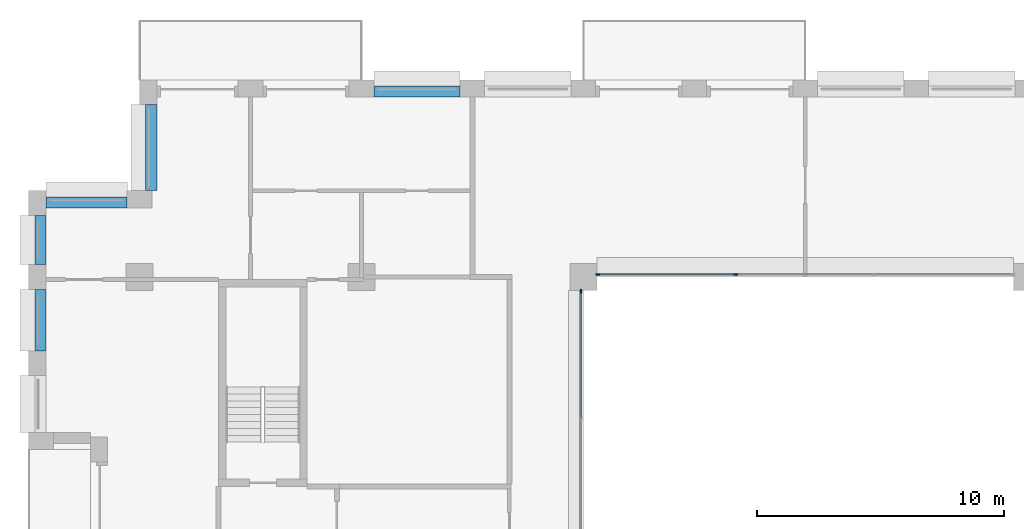
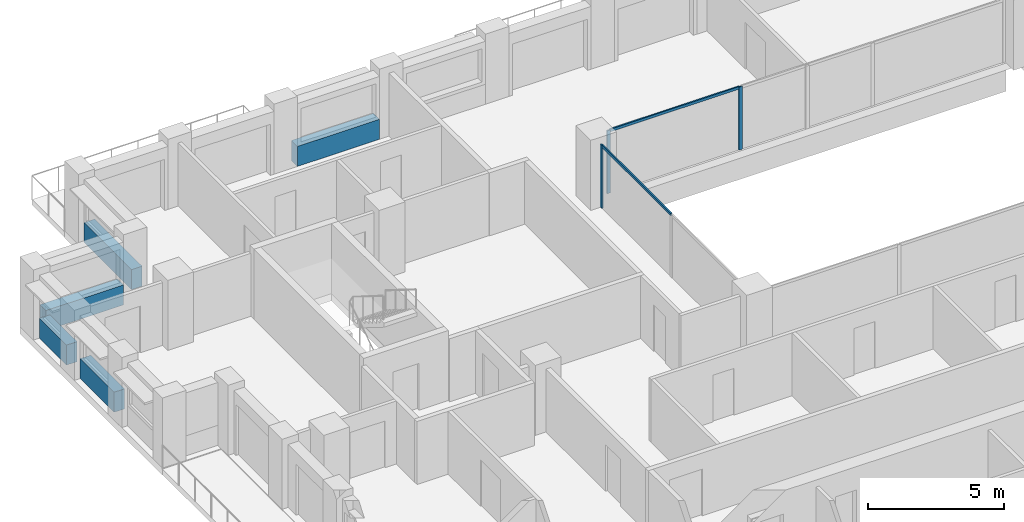
# One storey, part 5 of 16: 5 beams, 5 members, 2 elements without a shape of their own.
"""IFC4 building model written with IfcOpenShell, lengths in metres."""

from ifc_helpers import new_model, si_unit, direction, frame, origin, origin_2d, place, context, subcontext, project, spatial, rectangle, extrude, material, layer, layer_set, material_profile, profile_set, type_object, element, aggregate, save


model = new_model("IFC4")

# Units and contexts
model_context = context("Model", 3, precision=1e-05, world=origin(), true_north=direction((0.0, 1.0)))
body_context = subcontext(model_context, "Body", "Model", "MODEL_VIEW")
ifc_project = project(units=[si_unit("LENGTHUNIT", "METRE"), si_unit("AREAUNIT", "SQUARE_METRE"), si_unit("VOLUMEUNIT", "CUBIC_METRE"), si_unit("PLANEANGLEUNIT", "RADIAN"), si_unit("MASSUNIT", "GRAM", prefix="KILO")], contexts=[model_context])

# Site, building, storey
site_placement = place(None, origin())
site = spatial("IfcSite", under=ifc_project, at=site_placement, CompositionType="ELEMENT")
building_placement = place(site_placement, origin())
building = spatial("IfcBuilding", under=site, at=building_placement, Name="Brigalow Station Residences", CompositionType="ELEMENT")
storey_placement = place(building_placement, frame((0.0, 0.0, 163.35009765625)))
storey = spatial("IfcBuildingStorey", under=building, at=storey_placement, Name="L47", CompositionType="ELEMENT", Elevation=163.35009765625)

# Curtain wall, members
ifc_material_1 = material(Name="Aluminium", Category="aluminium")
ifc_layer = layer(ifc_material_1, 0.14990234375)
ifc_layer_set = layer_set([ifc_layer], Name="ATRIUM FIRE-RATED GLAZING CURTAIN WALL")
curtain_wall_type = type_object("IfcCurtainWallType", Name="ATRIUM FIRE-RATED GLAZING CURTAIN WALL", PredefinedType="NOTDEFINED", material=ifc_layer_set)
curtain_wall_1_placement = place(storey_placement, origin())
curtain_wall_1 = element("IfcCurtainWall", 1, at=curtain_wall_1_placement, inside=storey, type_object=curtain_wall_type, Name="L47/cw/atrium-N", PredefinedType="NOTDEFINED")
ifc_material_2 = material(Name="Aluminium", Category="aluminium")
ifc_material_profile_1 = material_profile(ifc_material_2, rectangle(XDim=0.06005859375, YDim=0.14990234375, at=origin_2d()), Name="ATRIUM FIRE-RATED GLAZING MULLION 60x150")
ifc_profile_set_1 = profile_set([ifc_material_profile_1], Name="Aluminium")
member_type_1 = type_object("IfcMemberType", Name="ATRIUM FIRE-RATED GLAZING MULLION 60x150", PredefinedType="MULLION", material=ifc_profile_set_1)
member_1_placement = place(storey_placement, frame((33.183349609375, 35.60009765625, 0.0), z_axis=(0.0, 0.0, 1.0), x_axis=(0.0, -1.0, 0.0)))
member_1 = element("IfcMember", 2, at=member_1_placement, type_object=member_type_1, Name="L47/cw/atrium-N/M02", PredefinedType="MULLION", context=body_context, shape_type="SweptSolid", body=[
    extrude(rectangle(XDim=0.06005859375, YDim=0.14990234375, at=origin_2d()), origin(), (0.0, 0.0, 1.0), 2.829833984375),
])
member_2_placement = place(storey_placement, frame((27.580078125, 35.60009765625, 0.0), z_axis=(0.0, 0.0, 1.0), x_axis=(0.0, -1.0, 0.0)))
member_2 = element("IfcMember", 3, at=member_2_placement, type_object=member_type_1, Name="L47/cw/atrium-N/M03", PredefinedType="MULLION", context=body_context, shape_type="SweptSolid", body=[
    extrude(rectangle(XDim=0.06005859375, YDim=0.14990234375, at=origin_2d()), origin(), (0.0, 0.0, 1.0), 2.829833984375),
])

# Curtain wall, member
curtain_wall_2_placement = place(storey_placement, origin())
curtain_wall_2 = element("IfcCurtainWall", 4, at=curtain_wall_2_placement, inside=storey, type_object=curtain_wall_type, Name="L47/cw/atrium-W", PredefinedType="NOTDEFINED")
member_3_placement = place(storey_placement, frame((26.89990234375, 34.919921875, 0.0), z_axis=(0.0, 0.0, 1.0), x_axis=(1.0, 0.0, 0.0)))
member_3 = element("IfcMember", 5, at=member_3_placement, type_object=member_type_1, Name="L47/cw/atrium-W/M00", PredefinedType="MULLION", context=body_context, shape_type="SweptSolid", body=[
    extrude(rectangle(XDim=0.06005859375, YDim=0.14990234375, at=origin_2d()), origin(), (0.0, 0.0, 1.0), 2.829833984375),
])

# Member
ifc_material_3 = material(Name="Aluminium", Category="aluminium")
ifc_material_profile_2 = material_profile(ifc_material_3, rectangle(XDim=0.06005859375, YDim=0.1201171875, at=origin_2d()), Name="ATRIUM FIRE-RATED GLAZING TRANSOM 60x120")
ifc_profile_set_2 = profile_set([ifc_material_profile_2], Name="Aluminium")
member_type_2 = type_object("IfcMemberType", Name="ATRIUM FIRE-RATED GLAZING TRANSOM 60x120", PredefinedType="USERDEFINED", material=ifc_profile_set_2)
member_4_placement = place(storey_placement, frame((33.1533203125, 35.60009765625, 2.7998046875), z_axis=(-1.0, 0.0, 0.0), x_axis=(0.0, -1.0, 0.0)))
member_4 = element("IfcMember", 6, at=member_4_placement, type_object=member_type_2, Name="L47/cw/atrium-N/T02-00", ObjectType="TRANSOM", PredefinedType="USERDEFINED", context=body_context, shape_type="SweptSolid", body=[
    extrude(rectangle(XDim=0.06005859375, YDim=0.1201171875, at=origin_2d()), origin(), (0.0, 0.0, 1.0), 5.543212890625),
])

aggregate(curtain_wall_1, [member_1, member_2, member_4])

member_5_placement = place(storey_placement, frame((26.89990234375, 34.889892578125, 2.7998046875), z_axis=(0.0, -1.0, 0.0), x_axis=(1.0, 0.0, 0.0)))
member_5 = element("IfcMember", 7, at=member_5_placement, type_object=member_type_2, Name="L47/cw/atrium-W/T00-00", ObjectType="TRANSOM", PredefinedType="USERDEFINED", context=body_context, shape_type="SweptSolid", body=[
    extrude(rectangle(XDim=0.06005859375, YDim=0.1201171875, at=origin_2d()), origin(), (0.0, 0.0, 1.0), 5.10986328125),
])

aggregate(curtain_wall_2, [member_3, member_5])

# Beams
ifc_material_4 = material(Name="Concrete C50", Category="concrete")
ifc_material_profile_3 = material_profile(ifc_material_4, rectangle(XDim=0.449951171875, YDim=0.89990234375, at=origin_2d()), Name="RC450x900")
ifc_profile_set_3 = profile_set([ifc_material_profile_3], Name="Concrete C50")
beam_type = type_object("IfcBeamType", Name="SPANDREL BEAM 450x900 C50", PredefinedType="SPANDREL", material=ifc_profile_set_3)
for number, where, z_axis, x_axis, name in (
    (8, (22.0, 43.02490234375, 0.449951171875), (-1.0, 0.0, 0.0), (0.0, -1.0, 0.0), "L47/spandrel/W-L47-32"),
    (9, (9.47509765625, 42.5, 0.449951171875), (0.0, -1.0, 0.0), (1.0, 0.0, 0.0), "L47/spandrel/W-L47-35"),
):
    element("IfcBeam", number, at=place(storey_placement, frame(where, z_axis=z_axis, x_axis=x_axis)), inside=storey, type_object=beam_type, Name=name, PredefinedType="SPANDREL", context=body_context, shape_type="SweptSolid", body=[
        extrude(rectangle(XDim=0.449951171875, YDim=0.89990234375, at=origin_2d()), origin(), (0.0, 0.0, 1.0), 3.5),
    ])
beam_1_placement = place(storey_placement, frame((8.5, 38.52490234375, 0.449951171875), z_axis=(-1.0, 0.0, 0.0), x_axis=(0.0, -1.0, 0.0)))
element("IfcBeam", 10, at=beam_1_placement, inside=storey, type_object=beam_type, Name="L47/spandrel/W-L47-36", PredefinedType="SPANDREL", context=body_context, shape_type="SweptSolid", body=[
    extrude(rectangle(XDim=0.449951171875, YDim=0.89990234375, at=origin_2d()), origin(), (0.0, 0.0, 1.0), 3.300048828125),
])
beam_2_placement = place(storey_placement, frame((4.97509765625, 38.0, 0.449951171875), z_axis=(0.0, -1.0, 0.0), x_axis=(1.0, 0.0, 0.0)))
element("IfcBeam", 11, at=beam_2_placement, inside=storey, type_object=beam_type, Name="L47/spandrel/W-L47-37", PredefinedType="SPANDREL", context=body_context, shape_type="SweptSolid", body=[
    extrude(rectangle(XDim=0.449951171875, YDim=0.89990234375, at=origin_2d()), origin(), (0.0, 0.0, 1.0), 2.0),
])
beam_3_placement = place(storey_placement, frame((4.97509765625, 35.0, 0.449951171875), z_axis=(0.0, -1.0, 0.0), x_axis=(1.0, 0.0, 0.0)))
element("IfcBeam", 12, at=beam_3_placement, inside=storey, type_object=beam_type, Name="L47/spandrel/W-L47-38", PredefinedType="SPANDREL", context=body_context, shape_type="SweptSolid", body=[
    extrude(rectangle(XDim=0.449951171875, YDim=0.89990234375, at=origin_2d()), origin(), (0.0, 0.0, 1.0), 2.5),
])

save(model, "model.ifc")
